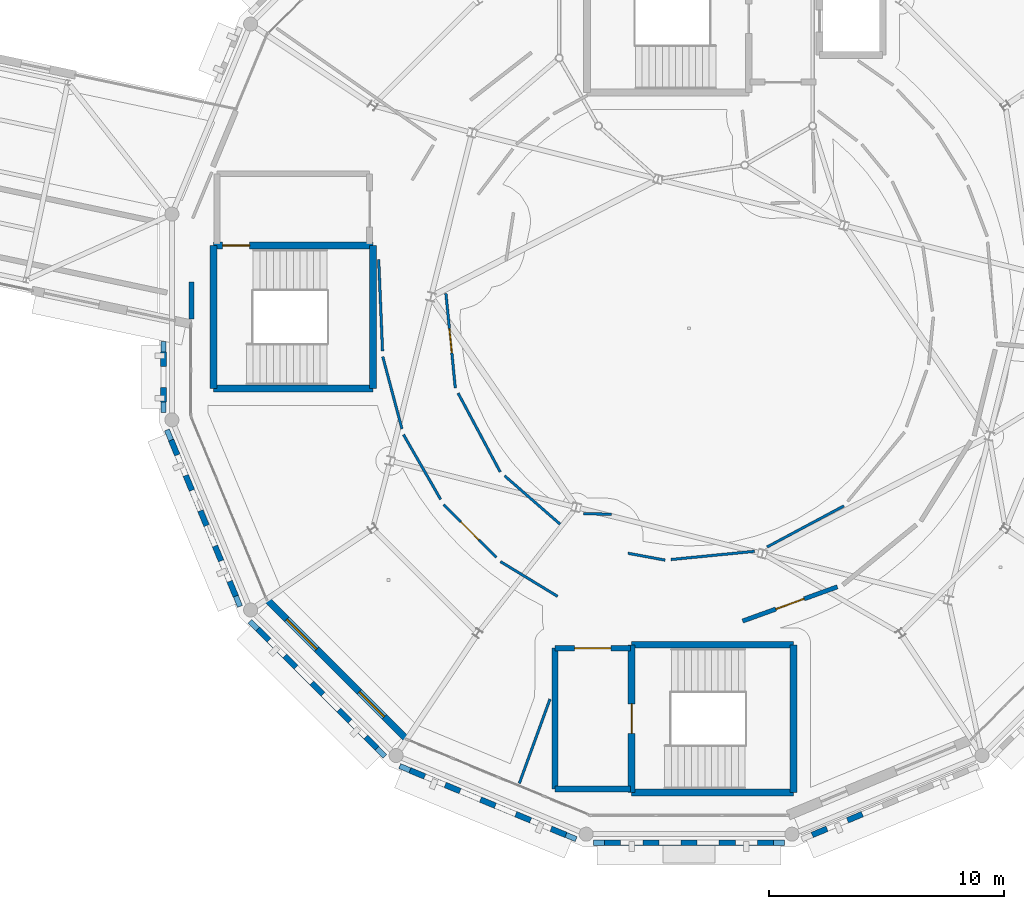
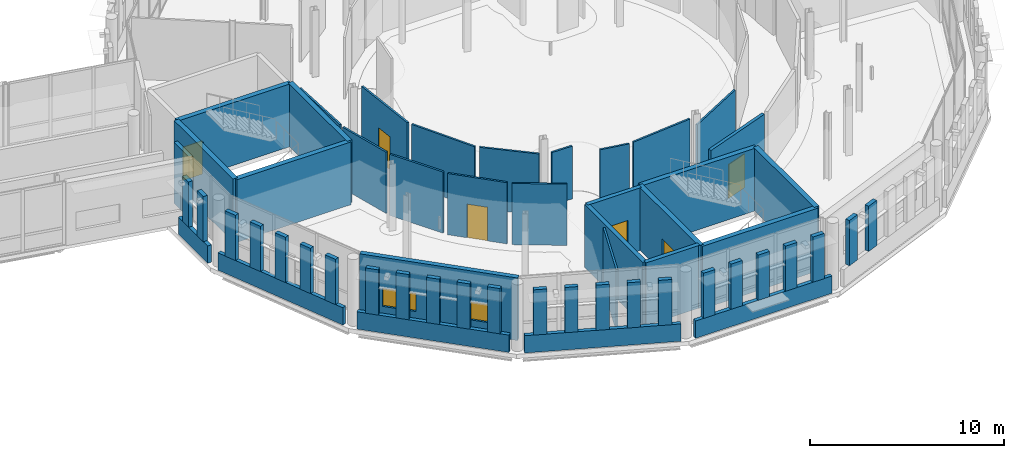
# One storey, part 98 of 125: 56 walls, 6 doors, 2 windows, 8 openings.
"""IFC4 building model written with IfcOpenShell, lengths in metres."""

from ifc_helpers import new_model, si_unit, direction, frame, frame_2d, origin, place, context, subcontext, project, spatial, rectangle, extrude, material, layer, layer_set, type_object, element, fill, save


model = new_model("IFC4")

# Units and contexts
model_context = context("Model", 3, precision=1e-05, world=origin(), true_north=direction((0.0, 1.0)))
body_context = subcontext(model_context, "Body", "Model", "MODEL_VIEW")
ifc_project = project(units=[si_unit("LENGTHUNIT", "METRE"), si_unit("AREAUNIT", "SQUARE_METRE"), si_unit("VOLUMEUNIT", "CUBIC_METRE"), si_unit("PLANEANGLEUNIT", "RADIAN"), si_unit("MASSUNIT", "GRAM", prefix="KILO")], contexts=[model_context])

# Site, building, storey
site_placement = place(None, origin())
site = spatial("IfcSite", under=ifc_project, at=site_placement, CompositionType="ELEMENT")
building_placement = place(site_placement, origin())
building = spatial("IfcBuilding", under=site, at=building_placement, Name="Wrenclough Park School", CompositionType="ELEMENT")
storey_placement = place(building_placement, frame((0.0, 0.0, 4.199951171875)))
storey = spatial("IfcBuildingStorey", under=building, at=storey_placement, Name="L01", CompositionType="ELEMENT", Elevation=4.199951171875)

# Walls
ifc_material_1 = material(Name="Perforated open-bond Staffordshire and Manchester brick screen pier", Category="masonry")
ifc_layer_1 = layer(ifc_material_1, 0.2451171875)
ifc_layer_set_1 = layer_set([ifc_layer_1], Name="Perforated open-bond Staffordshire and Manchester brick screen pier")
wall_type_1 = type_object("IfcWallType", Name="ENV-BS-PR245", PredefinedType="ELEMENTEDWALL", material=ifc_layer_set_1)
for number, where, z_axis, x_axis, name in (
    (1, (133.121826171875, 25.017333984375, 1.090087890625), (0.0, 0.0, 1.0), (0.0, -1.0, 0.0), "D1 L01 perforated brick screen pier 0191"),
    (2, (133.121826171875, 23.507080078125, 1.090087890625), (0.0, 0.0, 1.0), (0.0, -1.0, 0.0), "D1 L01 perforated brick screen pier 0192"),
):
    element("IfcWall", number, at=place(storey_placement, frame(where, z_axis=z_axis, x_axis=x_axis)), inside=storey, type_object=wall_type_1, Name=name, PredefinedType="ELEMENTEDWALL", context=body_context, shape_type="SweptSolid", body=[
        extrude(rectangle(XDim=0.634033203125, YDim=0.2451171875, at=frame_2d((0.31689453125, 0.0))), origin(), (0.0, 0.0, 1.0), 2.849853515625),
    ])
for number, where, z_axis, x_axis, name in (
    (3, (133.4501953125, 21.256103515625, 1.090087890625), (0.0, 0.0, 1.0), (0.382762115804, -0.923846936838, 0.0), "D1 L01 perforated brick screen pier 0193"),
    (4, (134.072509765625, 19.75390625, 1.090087890625), (0.0, 0.0, 1.0), (0.38245702535, -0.923973280869, 0.0), "D1 L01 perforated brick screen pier 0194"),
    (5, (134.694580078125, 18.251708984375, 1.090087890625), (0.0, 0.0, 1.0), (0.382762115804, -0.923846936838, 0.0), "D1 L01 perforated brick screen pier 0195"),
    (6, (135.31689453125, 16.74951171875, 1.090087890625), (0.0, 0.0, 1.0), (0.382762115804, -0.923846936838, 0.0), "D1 L01 perforated brick screen pier 0196"),
    (7, (135.939208984375, 15.247314453125, 1.090087890625), (0.0, 0.0, 1.0), (0.382762115804, -0.923846936838, 0.0), "D1 L01 perforated brick screen pier 0197"),
):
    element("IfcWall", number, at=place(storey_placement, frame(where, z_axis=z_axis, x_axis=x_axis)), inside=storey, type_object=wall_type_1, Name=name, PredefinedType="ELEMENTEDWALL", context=body_context, shape_type="SweptSolid", body=[
        extrude(rectangle(XDim=0.68310546875, YDim=0.2451171875, at=frame_2d((0.341552734375, 0.0))), origin(), (0.0, 0.0, 1.0), 2.849853515625),
    ])
for number, where, z_axis, x_axis, name in (
    (8, (137.135498046875, 13.21728515625, 1.090087890625), (0.0, 0.0, 1.0), (0.707106781187, -0.707106781187, 0.0), "D1 L01 perforated brick screen pier 0198"),
    (9, (138.28515625, 12.0673828125, 1.090087890625), (0.0, 0.0, 1.0), (0.707285546639, -0.706927970528, 0.0), "D1 L01 perforated brick screen pier 0199"),
    (10, (139.434814453125, 10.917724609375, 1.090087890625), (0.0, 0.0, 1.0), (0.707106781187, -0.707106781187, 0.0), "D1 L01 perforated brick screen pier 0200"),
    (11, (140.584716796875, 9.76806640625, 1.090087890625), (0.0, 0.0, 1.0), (0.706927970528, -0.707285546639, 0.0), "D1 L01 perforated brick screen pier 0201"),
    (12, (141.734375, 8.618408203125, 1.090087890625), (0.0, 0.0, 1.0), (0.707106781187, -0.707106781187, 0.0), "D1 L01 perforated brick screen pier 0202"),
):
    element("IfcWall", number, at=place(storey_placement, frame(where, z_axis=z_axis, x_axis=x_axis)), inside=storey, type_object=wall_type_1, Name=name, PredefinedType="ELEMENTEDWALL", context=body_context, shape_type="SweptSolid", body=[
        extrude(rectangle(XDim=0.682861328125, YDim=0.2451171875, at=frame_2d((0.34130859375, 0.0))), origin(), (0.0, 0.0, 1.0), 2.849853515625),
    ])
for number, where, z_axis, x_axis, name in (
    (13, (143.6162109375, 7.20068359375, 1.090087890625), (0.0, 0.0, 1.0), (0.923846936838, -0.382762115804, 0.0), "D1 L01 perforated brick screen pier 0203"),
    (14, (145.118408203125, 6.578369140625, 1.090087890625), (0.0, 0.0, 1.0), (0.923846936838, -0.382762115804, 0.0), "D1 L01 perforated brick screen pier 0204"),
    (15, (146.62060546875, 5.9560546875, 1.090087890625), (0.0, 0.0, 1.0), (0.923846936838, -0.382762115804, 0.0), "D1 L01 perforated brick screen pier 0205"),
    (16, (148.122802734375, 5.333740234375, 1.090087890625), (0.0, 0.0, 1.0), (0.923973280869, -0.38245702535, 0.0), "D1 L01 perforated brick screen pier 0206"),
    (17, (149.625, 4.711669921875, 1.090087890625), (0.0, 0.0, 1.0), (0.923846936838, -0.382762115804, 0.0), "D1 L01 perforated brick screen pier 0207"),
    (18, (151.906494140625, 4.121826171875, 1.090087890625), (0.0, 0.0, 1.0), (1.0, 0.0, 0.0), "D1 L01 perforated brick screen pier 0208"),
    (19, (153.532470703125, 4.121826171875, 1.090087890625), (0.0, 0.0, 1.0), (1.0, 0.0, 0.0), "D1 L01 perforated brick screen pier 0209"),
    (20, (155.158447265625, 4.121826171875, 1.090087890625), (0.0, 0.0, 1.0), (1.0, 0.0, 0.0), "D1 L01 perforated brick screen pier 0210"),
    (21, (156.784423828125, 4.121826171875, 1.090087890625), (0.0, 0.0, 1.0), (1.0, 0.0, 0.0), "D1 L01 perforated brick screen pier 0211"),
    (22, (158.410400390625, 4.121826171875, 1.090087890625), (0.0, 0.0, 1.0), (1.0, 0.0, 0.0), "D1 L01 perforated brick screen pier 0212"),
    (23, (160.743896484375, 4.4501953125, 1.090087890625), (0.0, 0.0, 1.0), (0.923846936838, 0.382762115804, 0.0), "D1 L01 perforated brick screen pier 0213"),
    (24, (162.24609375, 5.072509765625, 1.090087890625), (0.0, 0.0, 1.0), (0.923973280869, 0.38245702535, 0.0), "D1 L01 perforated brick screen pier 0214"),
):
    element("IfcWall", number, at=place(storey_placement, frame(where, z_axis=z_axis, x_axis=x_axis)), inside=storey, type_object=wall_type_1, Name=name, PredefinedType="ELEMENTEDWALL", context=body_context, shape_type="SweptSolid", body=[
        extrude(rectangle(XDim=0.68310546875, YDim=0.2451171875, at=frame_2d((0.341552734375, 0.0))), origin(), (0.0, 0.0, 1.0), 2.849853515625),
    ])
ifc_material_2 = material(Name="Open-bond Manchester multi-stock brick spandrel screen", Category="masonry")
ifc_layer_2 = layer(ifc_material_2, 0.22509765625)
ifc_layer_set_2 = layer_set([ifc_layer_2], Name="Open-bond Manchester multi-stock brick spandrel screen")
wall_type_2 = type_object("IfcWallType", Name="ENV-BS-SP225", PredefinedType="ELEMENTEDWALL", material=ifc_layer_set_2)
wall_1_placement = place(storey_placement, frame((133.121826171875, 25.45556640625, 0.0), z_axis=(0.0, 0.0, 1.0), x_axis=(0.0, -1.0, 0.0)))
element("IfcWall", 25, at=wall_1_placement, inside=storey, type_object=wall_type_2, Name="D1 L01 open-bond brick screen spandrel 0054", PredefinedType="ELEMENTEDWALL", context=body_context, shape_type="SweptSolid", body=[
    extrude(rectangle(XDim=3.0205078125, YDim=0.22509765625, at=frame_2d((1.51025390625, 0.0))), origin(), (0.0, 0.0, 1.0), 1.090087890625),
])
wall_2_placement = place(storey_placement, frame((133.269775390625, 21.691650390625, 0.0), z_axis=(0.0, 0.0, 1.0), x_axis=(0.382701881142, -0.923871890562, 0.0)))
element("IfcWall", 26, at=wall_2_placement, inside=storey, type_object=wall_type_2, Name="D1 L01 open-bond brick screen spandrel 0055", PredefinedType="ELEMENTEDWALL", context=body_context, shape_type="SweptSolid", body=[
    extrude(rectangle(XDim=8.1298828125, YDim=0.22509765625, at=frame_2d((4.06494140625, 0.0))), origin(), (0.0, 0.0, 1.0), 1.090087890625),
])
wall_3_placement = place(storey_placement, frame((136.802001953125, 13.550537109375, 0.0), z_axis=(0.0, 0.0, 1.0), x_axis=(0.707106781187, -0.707106781187, 0.0)))
element("IfcWall", 27, at=wall_3_placement, inside=storey, type_object=wall_type_2, Name="D1 L01 open-bond brick screen spandrel 0056", PredefinedType="ELEMENTEDWALL", context=body_context, shape_type="SweptSolid", body=[
    extrude(rectangle(XDim=8.129638671875, YDim=0.22509765625, at=frame_2d((4.06494140625, 0.0))), origin(), (0.0, 0.0, 1.0), 1.090087890625),
])
for number, where, z_axis, x_axis, name in (
    (28, (143.1806640625, 7.381103515625, 0.0), (0.0, 0.0, 1.0), (0.923871890562, -0.382701881142, 0.0), "D1 L01 open-bond brick screen spandrel 0057"),
    (29, (151.43505859375, 4.121826171875, 0.0), (0.0, 0.0, 1.0), (1.0, 0.0, 0.0), "D1 L01 open-bond brick screen spandrel 0058"),
):
    element("IfcWall", number, at=place(storey_placement, frame(where, z_axis=z_axis, x_axis=x_axis)), inside=storey, type_object=wall_type_2, Name=name, PredefinedType="ELEMENTEDWALL", context=body_context, shape_type="SweptSolid", body=[
        extrude(rectangle(XDim=8.1298828125, YDim=0.22509765625, at=frame_2d((4.06494140625, 0.0))), origin(), (0.0, 0.0, 1.0), 1.090087890625),
    ])

# Wall, openings, windows
ifc_material_3 = material(Name="Link wing brick-faced cavity wall Concrete C32/40", Category="masonry")
ifc_layer_3 = layer(ifc_material_3, 0.27490234375)
ifc_layer_set_3 = layer_set([ifc_layer_3], Name="Link wing brick-faced cavity wall Concrete C32/40")
wall_type_3 = type_object("IfcWallType", Name="ENV-EW-275", PredefinedType="SOLIDWALL", material=ifc_layer_set_3)
wall_4_placement = place(storey_placement, frame((143.484375, 8.51708984375, 0.0), z_axis=(0.0, 0.0, 1.0), x_axis=(-0.707106781187, 0.707106781187, 0.0)))
wall_4 = element("IfcWall", 30, at=wall_4_placement, inside=storey, type_object=wall_type_3, Name="L01 insulated brick external wall 0102", PredefinedType="SOLIDWALL", context=body_context, shape_type="SweptSolid", body=[
    extrude(rectangle(XDim=8.43896484375, YDim=0.27490234375, at=frame_2d((4.219482421875, 0.0))), origin(), (0.0, 0.0, 1.0), 3.93994140625),
])
opening_1_placement = place(wall_4_placement, frame((1.359619140625, 0.0, 0.85009765625)))
opening_1 = element("IfcOpeningElement", 31, at=opening_1_placement, cuts=wall_4, Name="Opening WN-38", PredefinedType="OPENING", context=body_context, shape_type="SweptSolid", body=[
    extrude(rectangle(XDim=1.5, YDim=1.14990234375, at=frame_2d((0.75, 0.574951171875))), frame((0.0, 0.1474609375, 0.0), z_axis=(0.0, -1.0, 0.0), x_axis=(1.0, 0.0, 0.0)), (0.0, 0.0, 1.0), 0.294921875),
])
opening_2_placement = place(wall_4_placement, frame((5.42919921875, 0.0, 0.85009765625)))
opening_2 = element("IfcOpeningElement", 32, at=opening_2_placement, cuts=wall_4, Name="Opening WN-39", PredefinedType="OPENING", context=body_context, shape_type="SweptSolid", body=[
    extrude(rectangle(XDim=1.800048828125, YDim=1.14990234375, at=frame_2d((0.89990234375, 0.574951171875))), frame((0.0, 0.1474609375, 0.0), z_axis=(0.0, -1.0, 0.0), x_axis=(1.0, 0.0, 0.0)), (0.0, 0.0, 1.0), 0.294921875),
])
ifc_material_4 = material(Name="Thermally broken aluminium and double-glazed low-e glass", Category="aluminium")
window_type_1 = type_object("IfcWindowType", Name="ENV-WN-38", PartitioningType="DOUBLE_PANEL_VERTICAL", PredefinedType="WINDOW", material=ifc_material_4)
window_1_placement = place(opening_1_placement, origin())
window_1 = element("IfcWindow", 33, at=window_1_placement, inside=storey, type_object=window_type_1, Name="L01 scheduled facade window 0149", OverallHeight=1.14990234375, OverallWidth=1.5, PartitioningType="SINGLE_PANEL", PredefinedType="WINDOW", context=body_context, shape_type="SweptSolid", body=[
    extrude(rectangle(XDim=1.5, YDim=1.14990234375, at=frame_2d((0.75, 0.574951171875))), frame((0.0, 0.030029296875, 0.0), z_axis=(0.0, -1.0, 0.0), x_axis=(1.0, 0.0, 0.0)), (0.0, 0.0, 1.0), 0.06005859375),
])
fill(opening_1, window_1)
window_type_2 = type_object("IfcWindowType", Name="ENV-WN-39", PartitioningType="DOUBLE_PANEL_VERTICAL", PredefinedType="WINDOW", material=ifc_material_4)
window_2_placement = place(opening_2_placement, origin())
window_2 = element("IfcWindow", 34, at=window_2_placement, inside=storey, type_object=window_type_2, Name="L01 scheduled facade window 0150", OverallHeight=1.14990234375, OverallWidth=1.800048828125, PartitioningType="SINGLE_PANEL", PredefinedType="WINDOW", context=body_context, shape_type="SweptSolid", body=[
    extrude(rectangle(XDim=1.800048828125, YDim=1.14990234375, at=frame_2d((0.89990234375, 0.574951171875))), frame((0.0, 0.030029296875, 0.0), z_axis=(0.0, -1.0, 0.0), x_axis=(1.0, 0.0, 0.0)), (0.0, 0.0, 1.0), 0.06005859375),
])
fill(opening_2, window_2)

# Wall
ifc_material_5 = material(Name="Concrete C35/45", Category="concrete")
ifc_layer_4 = layer(ifc_material_5, 0.25)
ifc_layer_set_4 = layer_set([ifc_layer_4], Name="Concrete C35/45")
wall_type_4 = type_object("IfcWallType", Name="INT-CW-250", PredefinedType="SHEAR", material=ifc_layer_set_4)
wall_5_placement = place(storey_placement, frame((149.800048828125, 6.39990234375, 0.0), z_axis=(0.0, 0.0, 1.0), x_axis=(1.0, 0.0, 0.0)))
element("IfcWall", 35, at=wall_5_placement, inside=storey, type_object=wall_type_4, Name="Core C1B L01 lobby fire wall south", PredefinedType="SHEAR", context=body_context, shape_type="SweptSolid", body=[
    extrude(rectangle(XDim=3.199951171875, YDim=0.25, at=frame_2d((1.60009765625, 0.0))), origin(), (0.0, 0.0, 1.0), 3.949951171875),
])

# Wall, opening, door
wall_6_placement = place(storey_placement, frame((153.0, 12.39990234375, 0.0), z_axis=(0.0, 0.0, 1.0), x_axis=(-1.0, 0.0, 0.0)))
wall_6 = element("IfcWall", 36, at=wall_6_placement, inside=storey, type_object=wall_type_4, Name="Core C1B L01 lobby fire wall north", PredefinedType="SHEAR", context=body_context, shape_type="SweptSolid", body=[
    extrude(rectangle(XDim=3.199951171875, YDim=0.25, at=frame_2d((1.60009765625, 0.0))), origin(), (0.0, 0.0, 1.0), 3.949951171875),
])
opening_3_placement = place(wall_6_placement, frame((0.824951171875, 0.0, 0.0)))
opening_3 = element("IfcOpeningElement", 37, at=opening_3_placement, cuts=wall_6, Name="Opening DLB-C1B-L01", PredefinedType="OPENING", context=body_context, shape_type="SweptSolid", body=[
    extrude(rectangle(XDim=1.550048828125, YDim=2.14990234375, at=frame_2d((0.77490234375, 1.074951171875))), frame((0.0, 0.135009765625, 0.0), z_axis=(0.0, -1.0, 0.0), x_axis=(1.0, 0.0, 0.0)), (0.0, 0.0, 1.0), 0.27001953125),
])
ifc_material_6 = material(Name="Protected stair lobby double fire door assembly", Category="wood")
door_type_1 = type_object("IfcDoorType", Name="INT-DR-LB155", OperationType="NOTDEFINED", PredefinedType="DOOR", material=ifc_material_6)
door_1_placement = place(opening_3_placement, origin())
door_1 = element("IfcDoor", 38, at=door_1_placement, inside=storey, type_object=door_type_1, Name="Core C1B L01 protected lobby fire door", OperationType="DOUBLE_DOOR_SINGLE_SWING", OverallHeight=2.14990234375, OverallWidth=1.550048828125, PredefinedType="DOOR", context=body_context, shape_type="SweptSolid", body=[
    extrude(rectangle(XDim=1.550048828125, YDim=2.14990234375, at=frame_2d((0.77490234375, 1.074951171875))), frame((0.0, 0.02490234375, 0.0), z_axis=(0.0, -1.0, 0.0), x_axis=(1.0, 0.0, 0.0)), (0.0, 0.0, 1.0), 0.050048828125),
])
fill(opening_3, door_1)

# Walls
wall_7_placement = place(storey_placement, frame((149.800048828125, 12.39990234375, 0.0), z_axis=(0.0, 0.0, 1.0), x_axis=(0.0, -1.0, 0.0)))
element("IfcWall", 39, at=wall_7_placement, inside=storey, type_object=wall_type_4, Name="Core C1B L01 lobby fire wall west", PredefinedType="SHEAR", context=body_context, shape_type="SweptSolid", body=[
    extrude(rectangle(XDim=6.0, YDim=0.25, at=frame_2d((3.0, 0.0))), origin(), (0.0, 0.0, 1.0), 3.949951171875),
])
ifc_material_7 = material(Name="Concrete C40/50", Category="concrete")
ifc_layer_5 = layer(ifc_material_7, 0.2900390625)
ifc_layer_set_5 = layer_set([ifc_layer_5], Name="Concrete C40/50")
wall_type_5 = type_object("IfcWallType", Name="INT-CW-290", PredefinedType="SHEAR", material=ifc_layer_set_5)
wall_8_placement = place(storey_placement, frame((153.054931640625, 6.2548828125, 0.0), z_axis=(0.0, 0.0, 1.0), x_axis=(1.0, 0.0, 0.0)))
element("IfcWall", 40, at=wall_8_placement, inside=storey, type_object=wall_type_5, Name="Core C1B L01 south shear wall", PredefinedType="SHEAR", context=body_context, shape_type="SweptSolid", body=[
    extrude(rectangle(XDim=6.89013671875, YDim=0.2900390625, at=frame_2d((3.445068359375, 0.0))), origin(), (0.0, 0.0, 1.0), 3.949951171875),
])
wall_9_placement = place(storey_placement, frame((159.945068359375, 6.2548828125, 0.0), z_axis=(0.0, 0.0, 1.0), x_axis=(0.0, 1.0, 0.0)))
element("IfcWall", 41, at=wall_9_placement, inside=storey, type_object=wall_type_5, Name="Core C1B L01 east shear wall", PredefinedType="SHEAR", context=body_context, shape_type="SweptSolid", body=[
    extrude(rectangle(XDim=6.2900390625, YDim=0.2900390625, at=frame_2d((3.14501953125, 0.0))), origin(), (0.0, 0.0, 1.0), 3.949951171875),
])
wall_10_placement = place(storey_placement, frame((159.945068359375, 12.544921875, 0.0), z_axis=(0.0, 0.0, 1.0), x_axis=(-1.0, 0.0, 0.0)))
element("IfcWall", 42, at=wall_10_placement, inside=storey, type_object=wall_type_5, Name="Core C1B L01 north shear wall", PredefinedType="SHEAR", context=body_context, shape_type="SweptSolid", body=[
    extrude(rectangle(XDim=6.89013671875, YDim=0.2900390625, at=frame_2d((3.445068359375, 0.0))), origin(), (0.0, 0.0, 1.0), 3.949951171875),
])

# Wall, opening, door
wall_11_placement = place(storey_placement, frame((153.054931640625, 12.544921875, 0.0), z_axis=(0.0, 0.0, 1.0), x_axis=(0.0, -1.0, 0.0)))
wall_11 = element("IfcWall", 43, at=wall_11_placement, inside=storey, type_object=wall_type_5, Name="Core C1B L01 west shear wall", PredefinedType="SHEAR", context=body_context, shape_type="SweptSolid", body=[
    extrude(rectangle(XDim=6.2900390625, YDim=0.2900390625, at=frame_2d((3.14501953125, 0.0))), origin(), (0.0, 0.0, 1.0), 3.949951171875),
])
opening_4_placement = place(wall_11_placement, frame((2.52001953125, 0.0, 0.0)))
opening_4 = element("IfcOpeningElement", 44, at=opening_4_placement, cuts=wall_11, Name="Opening DST-C1B-L01", PredefinedType="OPENING", context=body_context, shape_type="SweptSolid", body=[
    extrude(rectangle(XDim=1.25, YDim=2.10009765625, at=frame_2d((0.625, 1.050048828125))), frame((0.0, 0.155029296875, 0.0), z_axis=(0.0, -1.0, 0.0), x_axis=(1.0, 0.0, 0.0)), (0.0, 0.0, 1.0), 0.31005859375),
])
ifc_material_8 = material(Name="Wide protected escape stair fire door assembly", Category="wood")
door_type_2 = type_object("IfcDoorType", Name="INT-DR-ST125", OperationType="NOTDEFINED", PredefinedType="DOOR", material=ifc_material_8)
door_2_placement = place(opening_4_placement, origin())
door_2 = element("IfcDoor", 45, at=door_2_placement, inside=storey, type_object=door_type_2, Name="Stair ST-09 L01 fire door", OperationType="SINGLE_SWING_RIGHT", OverallHeight=2.10009765625, OverallWidth=1.25, PredefinedType="DOOR", context=body_context, shape_type="SweptSolid", body=[
    extrude(rectangle(XDim=1.25, YDim=2.10009765625, at=frame_2d((0.625, 1.050048828125))), frame((0.0, 0.02490234375, 0.0), z_axis=(0.0, -1.0, 0.0), x_axis=(1.0, 0.0, 0.0)), (0.0, 0.0, 1.0), 0.050048828125),
])
fill(opening_4, door_2)

# Walls
wall_12_placement = place(storey_placement, frame((135.2548828125, 23.455078125, 0.0), z_axis=(0.0, 0.0, 1.0), x_axis=(1.0, 0.0, 0.0)))
element("IfcWall", 46, at=wall_12_placement, inside=storey, type_object=wall_type_5, Name="Core C1C L01 south shear wall", PredefinedType="SHEAR", context=body_context, shape_type="SweptSolid", body=[
    extrude(rectangle(XDim=6.7900390625, YDim=0.2900390625, at=frame_2d((3.39501953125, 0.0))), origin(), (0.0, 0.0, 1.0), 3.949951171875),
])
wall_13_placement = place(storey_placement, frame((142.044921875, 23.455078125, 0.0), z_axis=(0.0, 0.0, 1.0), x_axis=(0.0, 1.0, 0.0)))
element("IfcWall", 47, at=wall_13_placement, inside=storey, type_object=wall_type_5, Name="Core C1C L01 east shear wall", PredefinedType="SHEAR", context=body_context, shape_type="SweptSolid", body=[
    extrude(rectangle(XDim=6.08984375, YDim=0.2900390625, at=frame_2d((3.044921875, 0.0))), origin(), (0.0, 0.0, 1.0), 3.949951171875),
])

# Wall, opening, door
wall_14_placement = place(storey_placement, frame((142.044921875, 29.544921875, 0.0), z_axis=(0.0, 0.0, 1.0), x_axis=(-1.0, 0.0, 0.0)))
wall_14 = element("IfcWall", 48, at=wall_14_placement, inside=storey, type_object=wall_type_5, Name="Core C1C L01 north shear wall", PredefinedType="SHEAR", context=body_context, shape_type="SweptSolid", body=[
    extrude(rectangle(XDim=6.7900390625, YDim=0.2900390625, at=frame_2d((3.39501953125, 0.0))), origin(), (0.0, 0.0, 1.0), 3.949951171875),
])
opening_5_placement = place(wall_14_placement, frame((5.25, 0.0, 0.0)))
opening_5 = element("IfcOpeningElement", 49, at=opening_5_placement, cuts=wall_14, Name="Opening DST-C1C-L01", PredefinedType="OPENING", context=body_context, shape_type="SweptSolid", body=[
    extrude(rectangle(XDim=1.14990234375, YDim=2.10009765625, at=frame_2d((0.574951171875, 1.050048828125))), frame((0.0, 0.155029296875, 0.0), z_axis=(0.0, -1.0, 0.0), x_axis=(1.0, 0.0, 0.0)), (0.0, 0.0, 1.0), 0.31005859375),
])
ifc_material_9 = material(Name="Protected escape stair single fire door assembly", Category="wood")
door_type_3 = type_object("IfcDoorType", Name="INT-DR-ST115", OperationType="NOTDEFINED", PredefinedType="DOOR", material=ifc_material_9)
door_3_placement = place(opening_5_placement, origin())
door_3 = element("IfcDoor", 50, at=door_3_placement, inside=storey, type_object=door_type_3, Name="Stair ST-12 L01 fire door", OperationType="SINGLE_SWING_RIGHT", OverallHeight=2.10009765625, OverallWidth=1.14990234375, PredefinedType="DOOR", context=body_context, shape_type="SweptSolid", body=[
    extrude(rectangle(XDim=1.14990234375, YDim=2.10009765625, at=frame_2d((0.574951171875, 1.050048828125))), frame((0.0, 0.02490234375, 0.0), z_axis=(0.0, -1.0, 0.0), x_axis=(1.0, 0.0, 0.0)), (0.0, 0.0, 1.0), 0.050048828125),
])
fill(opening_5, door_3)

# Walls
wall_15_placement = place(storey_placement, frame((135.2548828125, 29.544921875, 0.0), z_axis=(0.0, 0.0, 1.0), x_axis=(0.0, -1.0, 0.0)))
element("IfcWall", 51, at=wall_15_placement, inside=storey, type_object=wall_type_5, Name="Core C1C L01 west shear wall", PredefinedType="SHEAR", context=body_context, shape_type="SweptSolid", body=[
    extrude(rectangle(XDim=6.08984375, YDim=0.2900390625, at=frame_2d((3.044921875, 0.0))), origin(), (0.0, 0.0, 1.0), 3.949951171875),
])
ifc_material_10 = material(Name="Lightweight fire-rated store partition", Category="gypsum")
ifc_layer_6 = layer(ifc_material_10, 0.110107421875)
ifc_layer_set_6 = layer_set([ifc_layer_6], Name="Lightweight fire-rated store partition")
wall_type_6 = type_object("IfcWallType", Name="INT-PW-110", PredefinedType="PARTITIONING", material=ifc_layer_set_6)
wall_16_placement = place(storey_placement, frame((148.272216796875, 6.64208984375, 0.0), z_axis=(0.0, 0.0, 1.0), x_axis=(0.342066041758, 0.939675913853, 0.0)))
element("IfcWall", 52, at=wall_16_placement, inside=storey, type_object=wall_type_6, Name="L01 internal partition 0162", PredefinedType="PARTITIONING", context=body_context, shape_type="SweptSolid", body=[
    extrude(rectangle(XDim=3.823486328125, YDim=0.110107421875, at=frame_2d((1.91162109375, 0.0))), origin(), (0.0, 0.0, 1.0), 3.85498046875),
])
wall_17_placement = place(storey_placement, frame((149.89990234375, 14.608154296875, 0.0), z_axis=(0.0, 0.0, 1.0), x_axis=(-0.854120668985, 0.520074881929, 0.0)))
element("IfcWall", 53, at=wall_17_placement, inside=storey, type_object=wall_type_6, Name="L01 internal partition 0163", PredefinedType="PARTITIONING", context=body_context, shape_type="SweptSolid", body=[
    extrude(rectangle(XDim=2.84521484375, YDim=0.110107421875, at=frame_2d((1.422607421875, 0.0))), origin(), (0.0, 0.0, 1.0), 3.85498046875),
])

# Wall, opening, door
wall_18_placement = place(storey_placement, frame((147.293701171875, 16.264892578125, 0.0), z_axis=(0.0, 0.0, 1.0), x_axis=(-0.705378813393, 0.708830536599, 0.0)))
wall_18 = element("IfcWall", 54, at=wall_18_placement, inside=storey, type_object=wall_type_6, Name="L01 internal partition 0164", PredefinedType="PARTITIONING", context=body_context, shape_type="SweptSolid", body=[
    extrude(rectangle(XDim=3.182861328125, YDim=0.110107421875, at=frame_2d((1.59130859375, 0.0))), origin(), (0.0, 0.0, 1.0), 3.85498046875),
])
opening_6_placement = place(wall_18_placement, frame((1.051513671875, 0.0, 0.0)))
opening_6 = element("IfcOpeningElement", 55, at=opening_6_placement, cuts=wall_18, Name="Opening DR-L01-030", PredefinedType="OPENING", context=body_context, shape_type="SweptSolid", body=[
    extrude(rectangle(XDim=1.080078125, YDim=2.1201171875, at=frame_2d((0.5400390625, 1.06005859375))), frame((0.0, 0.06494140625, 0.0), z_axis=(0.0, -1.0, 0.0), x_axis=(1.0, 0.0, 0.0)), (0.0, 0.0, 1.0), 0.130126953125),
])
ifc_material_11 = material(Name="Sixth-form seminar room door assembly", Category="wood")
door_type_4 = type_object("IfcDoorType", Name="INT-DR-CL108", OperationType="NOTDEFINED", PredefinedType="DOOR", material=ifc_material_11)
door_4_placement = place(opening_6_placement, origin())
door_4 = element("IfcDoor", 56, at=door_4_placement, inside=storey, type_object=door_type_4, Name="Activity Studio 1 door DR-L01-030", OperationType="SINGLE_SWING_LEFT", OverallHeight=2.1201171875, OverallWidth=1.080078125, PredefinedType="DOOR", context=body_context, shape_type="SweptSolid", body=[
    extrude(rectangle(XDim=1.080078125, YDim=2.1201171875, at=frame_2d((0.5400390625, 1.06005859375))), frame((0.0, 0.02490234375, 0.0), z_axis=(0.0, -1.0, 0.0), x_axis=(1.0, 0.0, 0.0)), (0.0, 0.0, 1.0), 0.050048828125),
])
fill(opening_6, door_4)

# Walls
wall_19_placement = place(storey_placement, frame((144.924072265625, 18.73779296875, 0.0), z_axis=(0.0, 0.0, 1.0), x_axis=(-0.498065466792, 0.867139429844, 0.0)))
element("IfcWall", 57, at=wall_19_placement, inside=storey, type_object=wall_type_6, Name="L01 internal partition 0165", PredefinedType="PARTITIONING", context=body_context, shape_type="SweptSolid", body=[
    extrude(rectangle(XDim=3.177734375, YDim=0.110107421875, at=frame_2d((1.5888671875, 0.0))), origin(), (0.0, 0.0, 1.0), 3.85498046875),
])
wall_20_placement = place(storey_placement, frame((143.277099609375, 21.73486328125, 0.0), z_axis=(0.0, 0.0, 1.0), x_axis=(-0.256822253657, 0.96645865407, 0.0)))
element("IfcWall", 58, at=wall_20_placement, inside=storey, type_object=wall_type_6, Name="L01 internal partition 0166", PredefinedType="PARTITIONING", context=body_context, shape_type="SweptSolid", body=[
    extrude(rectangle(XDim=3.1826171875, YDim=0.110107421875, at=frame_2d((1.59130859375, 0.0))), origin(), (0.0, 0.0, 1.0), 3.85498046875),
])
wall_21_placement = place(storey_placement, frame((142.44921875, 25.060546875, 0.0), z_axis=(0.0, 0.0, 1.0), x_axis=(-0.042220262727, 0.999108327167, 0.0)))
element("IfcWall", 59, at=wall_21_placement, inside=storey, type_object=wall_type_6, Name="L01 internal partition 0167", PredefinedType="PARTITIONING", context=body_context, shape_type="SweptSolid", body=[
    extrude(rectangle(XDim=3.8916015625, YDim=0.110107421875, at=frame_2d((1.94580078125, 0.0))), origin(), (0.0, 0.0, 1.0), 3.85498046875),
])

# Wall, opening, door
wall_22_placement = place(storey_placement, frame((145.14892578125, 27.4970703125, 0.0), z_axis=(0.0, 0.0, 1.0), x_axis=(0.098844867188, -0.995102855101, 0.0)))
wall_22 = element("IfcWall", 60, at=wall_22_placement, inside=storey, type_object=wall_type_6, Name="L01 internal partition 0196", PredefinedType="PARTITIONING", context=body_context, shape_type="SweptSolid", body=[
    extrude(rectangle(XDim=4.035888671875, YDim=0.110107421875, at=frame_2d((2.01806640625, 0.0))), origin(), (0.0, 0.0, 1.0), 3.85498046875),
])
opening_7_placement = place(wall_22_placement, frame((1.497802734375, 0.0, 0.0)))
opening_7 = element("IfcOpeningElement", 61, at=opening_7_placement, cuts=wall_22, Name="Opening DR-L01-034", PredefinedType="OPENING", context=body_context, shape_type="SweptSolid", body=[
    extrude(rectangle(XDim=1.0400390625, YDim=2.10009765625, at=frame_2d((0.52001953125, 1.050048828125))), frame((0.0, 0.06494140625, 0.0), z_axis=(0.0, -1.0, 0.0), x_axis=(1.0, 0.0, 0.0)), (0.0, 0.0, 1.0), 0.130126953125),
])
ifc_material_12 = material(Name="SEN accessible teaching room door assembly", Category="wood")
door_type_5 = type_object("IfcDoorType", Name="INT-DR-CL104", OperationType="NOTDEFINED", PredefinedType="DOOR", material=ifc_material_12)
door_5_placement = place(opening_7_placement, origin())
door_5 = element("IfcDoor", 62, at=door_5_placement, inside=storey, type_object=door_type_5, Name="Biomechanics Teaching Classroom door DR-L01-034", OperationType="SINGLE_SWING_LEFT", OverallHeight=2.10009765625, OverallWidth=1.0400390625, PredefinedType="DOOR", context=body_context, shape_type="SweptSolid", body=[
    extrude(rectangle(XDim=1.0400390625, YDim=2.10009765625, at=frame_2d((0.52001953125, 1.050048828125))), frame((0.0, 0.02490234375, 0.0), z_axis=(0.0, -1.0, 0.0), x_axis=(1.0, 0.0, 0.0)), (0.0, 0.0, 1.0), 0.050048828125),
])
fill(opening_7, door_5)

# Walls
wall_23_placement = place(storey_placement, frame((145.66552734375, 23.260498046875, 0.0), z_axis=(0.0, 0.0, 1.0), x_axis=(0.471436596753, -0.881899957615, 0.0)))
element("IfcWall", 63, at=wall_23_placement, inside=storey, type_object=wall_type_6, Name="L01 internal partition 0197", PredefinedType="PARTITIONING", context=body_context, shape_type="SweptSolid", body=[
    extrude(rectangle(XDim=3.807861328125, YDim=0.110107421875, at=frame_2d((1.90380859375, 0.0))), origin(), (0.0, 0.0, 1.0), 3.85498046875),
])
wall_24_placement = place(storey_placement, frame((147.64892578125, 19.73828125, 0.0), z_axis=(0.0, 0.0, 1.0), x_axis=(0.753758865397, -0.657151103503, 0.0)))
element("IfcWall", 64, at=wall_24_placement, inside=storey, type_object=wall_type_6, Name="L01 internal partition 0198", PredefinedType="PARTITIONING", context=body_context, shape_type="SweptSolid", body=[
    extrude(rectangle(XDim=3.131103515625, YDim=0.110107421875, at=frame_2d((1.5654296875, 0.0))), origin(), (0.0, 0.0, 1.0), 3.85498046875),
])
wall_25_placement = place(storey_placement, frame((151.0048828125, 18.125, 0.0), z_axis=(0.0, 0.0, 1.0), x_axis=(0.999860744147, -0.016688088952, 0.0)))
element("IfcWall", 65, at=wall_25_placement, inside=storey, type_object=wall_type_6, Name="L01 internal partition 0199", PredefinedType="PARTITIONING", context=body_context, shape_type="SweptSolid", body=[
    extrude(rectangle(XDim=1.19970703125, YDim=0.110107421875, at=frame_2d((0.599853515625, 0.0))), origin(), (0.0, 0.0, 1.0), 3.323974609375),
])
wall_26_placement = place(storey_placement, frame((152.89990234375, 16.44287109375, 0.0), z_axis=(0.0, 0.0, 1.0), x_axis=(0.983284018963, -0.182078384361, 0.0)))
element("IfcWall", 66, at=wall_26_placement, inside=storey, type_object=wall_type_6, Name="L01 internal partition 0200", PredefinedType="PARTITIONING", context=body_context, shape_type="SweptSolid", body=[
    extrude(rectangle(XDim=1.607666015625, YDim=0.110107421875, at=frame_2d((0.8037109375, 0.0))), origin(), (0.0, 0.0, 1.0), 3.85498046875),
])
wall_27_placement = place(storey_placement, frame((154.729248046875, 16.174560546875, 0.0), z_axis=(0.0, 0.0, 1.0), x_axis=(0.995181838027, 0.098046464804, 0.0)))
element("IfcWall", 67, at=wall_27_placement, inside=storey, type_object=wall_type_6, Name="L01 internal partition 0201", PredefinedType="PARTITIONING", context=body_context, shape_type="SweptSolid", body=[
    extrude(rectangle(XDim=3.583251953125, YDim=0.110107421875, at=frame_2d((1.79150390625, 0.0))), origin(), (0.0, 0.0, 1.0), 3.85498046875),
])
wall_28_placement = place(storey_placement, frame((158.823486328125, 16.71044921875, 0.0), z_axis=(0.0, 0.0, 1.0), x_axis=(0.881902915233, 0.471431064, 0.0)))
element("IfcWall", 68, at=wall_28_placement, inside=storey, type_object=wall_type_6, Name="L01 internal partition 0202", PredefinedType="PARTITIONING", context=body_context, shape_type="SweptSolid", body=[
    extrude(rectangle(XDim=3.712646484375, YDim=0.110107421875, at=frame_2d((1.8564453125, 0.0))), origin(), (0.0, 0.0, 1.0), 3.173583984375),
])

# Wall, opening, door
ifc_material_13 = material(Name="Laboratory fire and acoustic partition", Category="gypsum")
ifc_layer_7 = layer(ifc_material_13, 0.18505859375)
ifc_layer_set_7 = layer_set([ifc_layer_7], Name="Laboratory fire and acoustic partition")
wall_type_7 = type_object("IfcWallType", Name="INT-PW-185", PredefinedType="PARTITIONING", material=ifc_layer_set_7)
wall_29_placement = place(storey_placement, frame((161.81591796875, 15.013916015625, 0.0), z_axis=(0.0, 0.0, 1.0), x_axis=(-0.940443226635, -0.339950786845, 0.0)))
wall_29 = element("IfcWall", 69, at=wall_29_placement, inside=storey, type_object=wall_type_7, Name="L01 internal partition 0173", PredefinedType="PARTITIONING", context=body_context, shape_type="SweptSolid", body=[
    extrude(rectangle(XDim=4.288818359375, YDim=0.18505859375, at=frame_2d((2.14453125, 0.0))), origin(), (0.0, 0.0, 1.0), 3.85498046875),
])
opening_8_placement = place(wall_29_placement, frame((1.50439453125, 0.0, 0.0)))
opening_8 = element("IfcOpeningElement", 70, at=opening_8_placement, cuts=wall_29, Name="Opening DR-L01-031", PredefinedType="OPENING", context=body_context, shape_type="SweptSolid", body=[
    extrude(rectangle(XDim=1.280029296875, YDim=2.139892578125, at=frame_2d((0.64013671875, 1.06982421875))), frame((0.0, 0.1025390625, 0.0), z_axis=(0.0, -1.0, 0.0), x_axis=(1.0, 0.0, 0.0)), (0.0, 0.0, 1.0), 0.205078125),
])
ifc_material_14 = material(Name="Junior science laboratory leaf-and-a-half door assembly", Category="wood")
door_type_6 = type_object("IfcDoorType", Name="INT-DR-LAB128", OperationType="NOTDEFINED", PredefinedType="DOOR", material=ifc_material_14)
door_6_placement = place(opening_8_placement, origin())
door_6 = element("IfcDoor", 71, at=door_6_placement, inside=storey, type_object=door_type_6, Name="Sports Science Laboratory door DR-L01-031", OperationType="SINGLE_SWING_RIGHT", OverallHeight=2.139892578125, OverallWidth=1.280029296875, PredefinedType="DOOR", context=body_context, shape_type="SweptSolid", body=[
    extrude(rectangle(XDim=1.280029296875, YDim=2.139892578125, at=frame_2d((0.64013671875, 1.06982421875))), frame((0.0, 0.02490234375, 0.0), z_axis=(0.0, -1.0, 0.0), x_axis=(1.0, 0.0, 0.0)), (0.0, 0.0, 1.0), 0.050048828125),
])
fill(opening_8, door_6)

# Wall
ifc_material_15 = material(Name="Twin-frame acoustic gypsum board 60 dB Rw", Category="gypsum")
ifc_layer_8 = layer(ifc_material_15, 0.22509765625)
ifc_layer_set_8 = layer_set([ifc_layer_8], Name="Twin-frame acoustic gypsum board 60 dB Rw")
wall_type_8 = type_object("IfcWallType", Name="INT-PW-225", PredefinedType="PARTITIONING", material=ifc_layer_set_8)
wall_30_placement = place(storey_placement, frame((134.31787109375, 26.40625, 0.0), z_axis=(0.0, 0.0, 1.0), x_axis=(0.0, 1.0, 0.0)))
element("IfcWall", 72, at=wall_30_placement, inside=storey, type_object=wall_type_8, Name="L01 internal partition 0278", PredefinedType="PARTITIONING", context=body_context, shape_type="SweptSolid", body=[
    extrude(rectangle(XDim=1.579345703125, YDim=0.22509765625, at=frame_2d((0.78955078125, 0.0))), origin(), (0.0, 0.0, 1.0), 3.85498046875),
])

save(model, "model.ifc")
